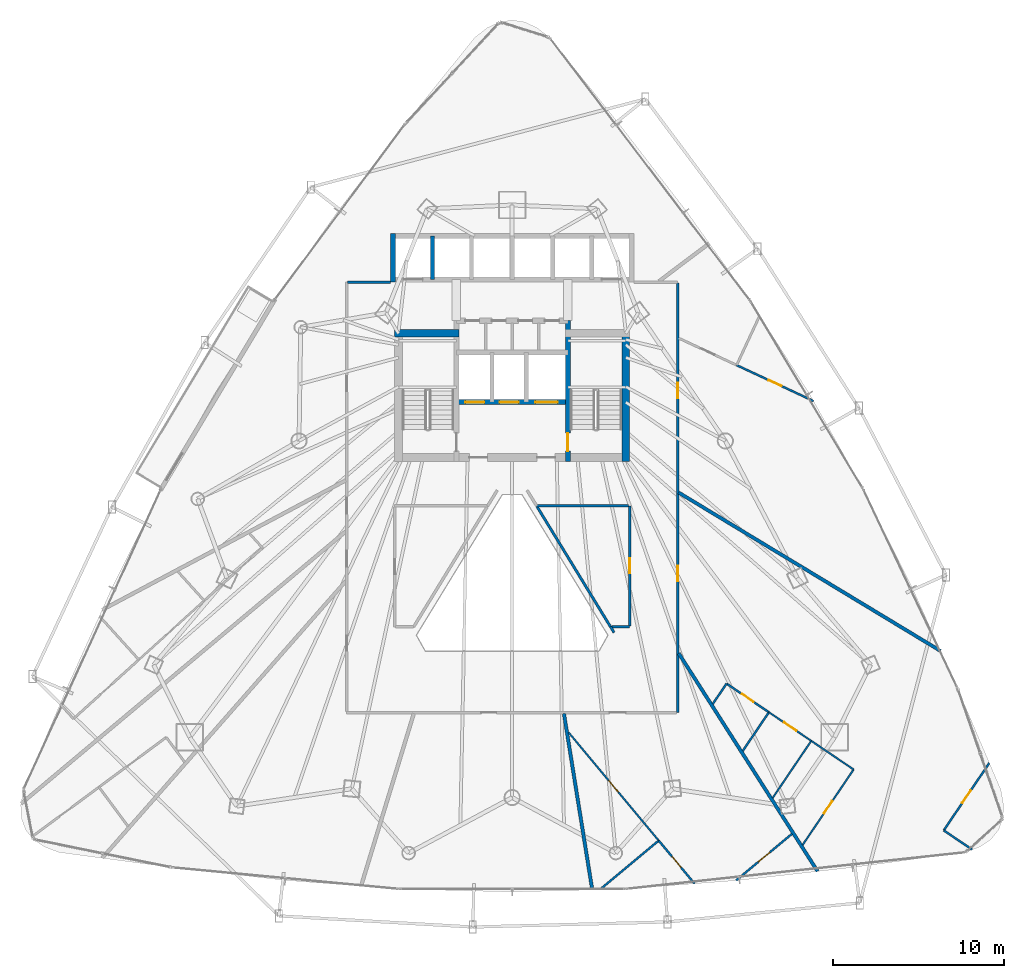
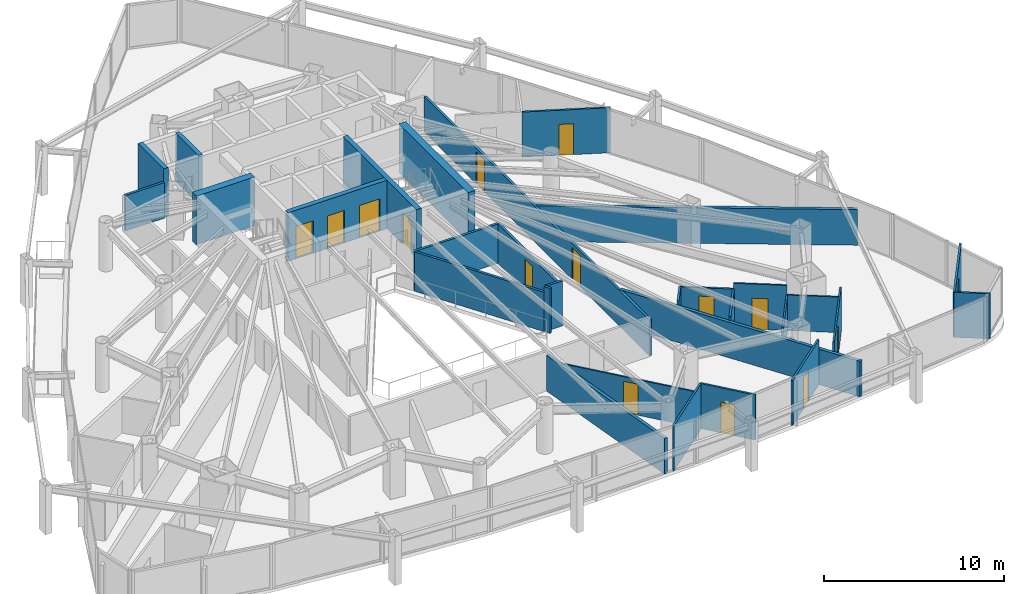
# One storey, part 33 of 38: 30 walls, 15 doors, 15 openings.
"""IFC4 building model written with IfcOpenShell, lengths in metres."""

import ifcopenshell
import ifcopenshell.guid

model = None  # the IFC model being written
_history = None  # IfcOwnerHistory: only IFC2X3 demands one
_inside = {}  # id of a spatial element -> (the spatial element, [elements in it])
_under = {}  # id of a project, library or spatial element -> (it, [spatial elements below it])
_declared = {}  # id of a project -> (the project, [libraries it declares])
_typed = {}  # id of a type object -> (the type object, [elements of that type])
_made_of = {}  # id of a material, layer set ... -> (it, [elements and type objects made of it])


def new_model(schema):
    """Start an empty IFC model of exactly this schema.

    Asked for "IFC4X3", IfcOpenShell would pick the latest addendum, in which some entities
    have other attributes; the version numbers below select the first issue.
    IFC2X3 requires an IfcOwnerHistory on every rooted entity: one is made here for all.
    """
    global model, _history
    if schema == "IFC4X3":
        model = ifcopenshell.file(schema_version=(4, 3, 0, 0))
    else:
        model = ifcopenshell.file(schema=schema)
    _inside.clear()
    _under.clear()
    _declared.clear()
    _typed.clear()
    _made_of.clear()
    _history = None
    if model.schema == "IFC2X3":
        org = make("IfcOrganization", Name="unknown")
        user = make(
            "IfcPersonAndOrganization",
            ThePerson=make("IfcPerson", FamilyName="unknown"),
            TheOrganization=org,
        )
        app = make(
            "IfcApplication",
            ApplicationDeveloper=org,
            Version="unknown",
            ApplicationFullName="unknown",
            ApplicationIdentifier="unknown",
        )
        _history = make(
            "IfcOwnerHistory",
            OwningUser=user,
            OwningApplication=app,
            ChangeAction="ADDED",
            CreationDate=0,
        )
    return model


def make(cls, **values):
    """One entity of the class cls with the attributes given. An attribute that is None is left unset."""
    return model.create_entity(
        cls, **{name: value for name, value in values.items() if value is not None}
    )


def rooted(cls, **values):
    """An entity with a GlobalId (a new one), such as an element, a storey or a relation."""
    return make(cls, GlobalId=ifcopenshell.guid.new(), OwnerHistory=_history, **values)


def si_unit(unit_type, name, prefix=None):
    """IfcSIUnit, for example si_unit("LENGTHUNIT", "METRE", prefix="MILLI")."""
    return make("IfcSIUnit", UnitType=unit_type, Prefix=prefix, Name=name)


def assignment(units):
    """IfcUnitAssignment: the units of a project."""
    return None if units is None else make("IfcUnitAssignment", Units=units)


def point(xyz):
    """IfcCartesianPoint."""
    return None if xyz is None else make("IfcCartesianPoint", Coordinates=xyz)


def direction(xyz):
    """IfcDirection."""
    return None if xyz is None else make("IfcDirection", DirectionRatios=xyz)


def frame(location, z_axis=None, x_axis=None):
    """IfcAxis2Placement3D, a coordinate frame: its origin and axes. An axis left out is left unset."""
    return make(
        "IfcAxis2Placement3D",
        Location=point(location),
        Axis=direction(z_axis),
        RefDirection=direction(x_axis),
    )


def frame_2d(location, x_axis=None):
    """IfcAxis2Placement2D, a coordinate frame in the plane: its origin and x axis."""
    return make(
        "IfcAxis2Placement2D", Location=point(location), RefDirection=direction(x_axis)
    )


def origin():
    """The frame at (0, 0, 0) with its axes left unset."""
    return frame((0.0, 0.0, 0.0))


def place(relative_to, where):
    """IfcLocalPlacement: puts the frame where relative to a parent placement (None: the world)."""
    return make(
        "IfcLocalPlacement", PlacementRelTo=relative_to, RelativePlacement=where
    )


def context(
    kind, dimensions, precision=None, world=None, true_north=None, identifier=None
):
    """IfcGeometricRepresentationContext, for example the 3D "Model" context."""
    return make(
        "IfcGeometricRepresentationContext",
        ContextIdentifier=identifier,
        ContextType=kind,
        CoordinateSpaceDimension=dimensions,
        Precision=precision,
        WorldCoordinateSystem=world,
        TrueNorth=true_north,
    )


def subcontext(parent, identifier, kind, view, scale=None):
    """IfcGeometricRepresentationSubContext, for example "Body" below "Model"."""
    return make(
        "IfcGeometricRepresentationSubContext",
        ContextIdentifier=identifier,
        ContextType=kind,
        ParentContext=parent,
        TargetScale=scale,
        TargetView=view,
    )


def project(units=None, contexts=None):
    """IfcProject with its units and contexts."""
    return rooted(
        "IfcProject",
        Name="project",
        RepresentationContexts=contexts,
        UnitsInContext=assignment(units),
    )


def spatial(cls, under=None, at=None, **own):
    """A site, building, storey or space (cls), placed at a placement, below another one or the project."""
    s = rooted(cls, ObjectPlacement=at, **own)
    if under is not None:
        _under.setdefault(under.id(), (under, []))[1].append(s)
    return s


def profile(cls, at=None, kind="AREA", **sizes):
    """A parametric profile (cls). Its sizes go by their IFC names, for example OverallWidth=200.0."""
    return make(cls, ProfileType=kind, Position=at, **sizes)


def rectangle(**sizes):
    """IfcRectangleProfileDef."""
    return profile("IfcRectangleProfileDef", **sizes)


def extrude(swept, where, along, depth):
    """IfcExtrudedAreaSolid: the profile swept, set in the frame where, extruded along a direction by depth."""
    return make(
        "IfcExtrudedAreaSolid",
        SweptArea=swept,
        Position=where,
        ExtrudedDirection=direction(along),
        Depth=depth,
    )


def shape(context_of_items, identifier, shape_type, items):
    """IfcShapeRepresentation: the items that make up one representation, for example the "Body"."""
    return make(
        "IfcShapeRepresentation",
        ContextOfItems=context_of_items,
        RepresentationIdentifier=identifier,
        RepresentationType=shape_type,
        Items=items,
    )


def material(Name=None, Category=None):
    """IfcMaterial."""
    return make("IfcMaterial", Name=Name, Category=Category)


def layer(
    of_material, thickness, ventilated=None, Name=None, Category=None, Priority=None
):
    """IfcMaterialLayer: one layer of a wall or slab, of a material (None: an air gap)."""
    return make(
        "IfcMaterialLayer",
        Material=of_material,
        LayerThickness=thickness,
        IsVentilated=ventilated,
        Name=Name,
        Category=Category,
        Priority=Priority,
    )


def layer_set(layers, Name=None):
    """IfcMaterialLayerSet."""
    return make("IfcMaterialLayerSet", MaterialLayers=layers, LayerSetName=Name)


def made_of(thing, what):
    """Note that an element or type object is made of a material, layer set ...; save() writes the relation."""
    if what is not None:
        _made_of.setdefault(what.id(), (what, []))[1].append(thing)
    return thing


def type_object(cls, material=None, **own):
    """A type object (cls), such as IfcWallType, which elements share."""
    return made_of(rooted(cls, **own), material)


def element(
    cls,
    number,
    at=None,
    inside=None,
    cuts=None,
    type_object=None,
    material=None,
    context=None,
    identifier="Body",
    shape_type=None,
    held_by="IfcProductDefinitionShape",
    body=None,
    shapes=None,
    **own,
):
    """One element of the class cls, such as IfcWall. Its Tag is "e" and its number.

    at: its placement. inside: the storey or other place that contains it. cuts: it is an
    opening in that element (IfcRelVoidsElement). A single representation is given by context,
    identifier, shape_type and body (its items); several are given by shapes. held_by: the class
    of the entity that holds the representations. save() writes the other relations.
    """
    e = rooted(cls, Tag="e%d" % number, ObjectPlacement=at, **own)
    if body is not None:
        shapes = [shape(context, identifier, shape_type, body)]
    if shapes is not None:
        e.Representation = make(held_by, Representations=shapes)
    if inside is not None:
        _inside.setdefault(inside.id(), (inside, []))[1].append(e)
    if cuts is not None:
        rooted(
            "IfcRelVoidsElement", RelatingBuildingElement=cuts, RelatedOpeningElement=e
        )
    if type_object is not None:
        _typed.setdefault(type_object.id(), (type_object, []))[1].append(e)
    return made_of(e, material)


def fill(opening, filler):
    """IfcRelFillsElement: the door or window that sits in an opening."""
    return rooted(
        "IfcRelFillsElement",
        RelatingOpeningElement=opening,
        RelatedBuildingElement=filler,
    )


def aggregate(whole, parts):
    """IfcRelAggregates: a whole, such as a stair, and the parts it consists of."""
    return rooted("IfcRelAggregates", RelatingObject=whole, RelatedObjects=parts)


def save(model, path):
    """Write the relations noted so far, then the file.

    IfcRelAggregates (storeys below a building ...), IfcRelContainedInSpatialStructure (elements
    in a storey), IfcRelDefinesByType, IfcRelAssociatesMaterial and IfcRelDeclares: one each for
    every whole, place, type object, material and project.
    """
    for whole, parts in _under.values():
        aggregate(whole, parts)
    for where, things in _inside.values():
        rooted(
            "IfcRelContainedInSpatialStructure",
            RelatedElements=things,
            RelatingStructure=where,
        )
    for kind, things in _typed.values():
        rooted("IfcRelDefinesByType", RelatedObjects=things, RelatingType=kind)
    for what, things in _made_of.values():
        rooted("IfcRelAssociatesMaterial", RelatedObjects=things, RelatingMaterial=what)
    for by, libraries in _declared.values():
        rooted("IfcRelDeclares", RelatingContext=by, RelatedDefinitions=libraries)
    model.write(path)


model = new_model("IFC4")

# Units and contexts
model_context = context("Model", 3, precision=1e-05, world=origin(), true_north=direction((0.0, 1.0)))
body_context = subcontext(model_context, "Body", "Model", "MODEL_VIEW")
ifc_project = project(units=[si_unit("LENGTHUNIT", "METRE"), si_unit("AREAUNIT", "SQUARE_METRE"), si_unit("VOLUMEUNIT", "CUBIC_METRE"), si_unit("PLANEANGLEUNIT", "RADIAN"), si_unit("MASSUNIT", "GRAM", prefix="KILO")], contexts=[model_context])

# Site, building, storey
site_placement = place(None, origin())
site = spatial("IfcSite", under=ifc_project, at=site_placement, CompositionType="ELEMENT")
building_placement = place(site_placement, origin())
building = spatial("IfcBuilding", under=site, at=building_placement, Name="Orvanel Arch Residences", CompositionType="ELEMENT")
storey_placement = place(building_placement, frame((0.0, 0.0, 43.39990234375)))
storey = spatial("IfcBuildingStorey", under=building, at=storey_placement, Name="L11", CompositionType="ELEMENT", Elevation=43.39990234375)

# Wall
ifc_material_1 = material(Name="Concrete N50 (50 MPa)", Category="concrete")
ifc_layer_1 = layer(ifc_material_1, 0.25)
ifc_layer_set_1 = layer_set([ifc_layer_1], Name="Concrete N50 (50 MPa)")
wall_type_1 = type_object("IfcWallType", Name="SW-CORE-250", PredefinedType="SHEAR", material=ifc_layer_set_1)
wall_1_placement = place(storey_placement, frame((28.35009765625, 37.050048828125, 0.0), z_axis=(0.0, 0.0, 1.0), x_axis=(0.0, 1.0, 0.0)))
element("IfcWall", 1, at=wall_1_placement, inside=storey, type_object=wall_type_1, Name="L11 Passenger Lift Inter-Shaft Wall P13", PredefinedType="SHEAR", context=body_context, shape_type="SweptSolid", body=[
    extrude(rectangle(XDim=2.550048828125, YDim=0.25, at=frame_2d((1.27490234375, 0.0))), origin(), (0.0, 0.0, 1.0), 3.300048828125),
])

# Wall, opening, door
ifc_material_2 = material(Name="Concrete S80 (80 MPa)", Category="concrete")
ifc_layer_2 = layer(ifc_material_2, 0.300048828125)
ifc_layer_set_2 = layer_set([ifc_layer_2], Name="Concrete S80 (80 MPa)")
wall_type_2 = type_object("IfcWallType", Name="SW-CORE-300", PredefinedType="SHEAR", material=ifc_layer_set_2)
wall_2_placement = place(storey_placement, frame((36.25, 26.449951171875, 0.0), z_axis=(0.0, 0.0, 1.0), x_axis=(0.0, 1.0, 0.0)))
wall_2 = element("IfcWall", 2, at=wall_2_placement, inside=storey, type_object=wall_type_2, Name="L11 East Inner Core Spine Shear Wall", PredefinedType="SHEAR", context=body_context, shape_type="SweptSolid", body=[
    extrude(rectangle(XDim=8.199951171875, YDim=0.300048828125, at=frame_2d((4.10009765625, 0.0))), origin(), (0.0, 0.0, 1.0), 3.300048828125),
])
opening_1_placement = place(wall_2_placement, frame((0.60009765625, 0.0, 0.0)))
opening_1 = element("IfcOpeningElement", 3, at=opening_1_placement, cuts=wall_2, Name="Opening DF-120", PredefinedType="OPENING", context=body_context, shape_type="SweptSolid", body=[
    extrude(rectangle(XDim=1.050048828125, YDim=2.14990234375, at=frame_2d((0.52490234375, 1.074951171875))), frame((0.0, 0.159912109375, 0.0), z_axis=(0.0, -1.0, 0.0), x_axis=(1.0, 0.0, 0.0)), (0.0, 0.0, 1.0), 0.320068359375),
])
ifc_material_3 = material(Name="Galvanised steel fire-resisting door assembly", Category="steel")
door_type_1 = type_object("IfcDoorType", Name="DR-FD120-1050", OperationType="NOTDEFINED", PredefinedType="DOOR", material=ifc_material_3)
door_1_placement = place(opening_1_placement, origin())
door_1 = element("IfcDoor", 4, at=door_1_placement, inside=storey, type_object=door_type_1, Name="DR-L11-ST2 L11 Stair 2 Fire Door", OperationType="SINGLE_SWING_RIGHT", OverallHeight=2.14990234375, OverallWidth=1.050048828125, PredefinedType="DOOR", context=body_context, shape_type="SweptSolid", body=[
    extrude(rectangle(XDim=1.050048828125, YDim=2.14990234375, at=frame_2d((0.52490234375, 1.074951171875))), frame((0.0, 0.02490234375, 0.0), z_axis=(0.0, -1.0, 0.0), x_axis=(1.0, 0.0, 0.0)), (0.0, 0.0, 1.0), 0.050048828125),
])
fill(opening_1, door_1)

# Wall, openings, doors
wall_3_placement = place(storey_placement, frame((36.25, 29.89990234375, 0.0), z_axis=(0.0, 0.0, 1.0), x_axis=(-1.0, 0.0, 0.0)))
wall_3 = element("IfcWall", 5, at=wall_3_placement, inside=storey, type_object=wall_type_2, Name="L11 Emergency Lift Front Core Shear Wall", PredefinedType="SHEAR", context=body_context, shape_type="SweptSolid", body=[
    extrude(rectangle(XDim=6.5, YDim=0.300048828125, at=frame_2d((3.25, 0.0))), origin(), (0.0, 0.0, 1.0), 3.300048828125),
])
opening_2_placement = place(wall_3_placement, frame((4.875, 0.0, 0.0)))
opening_2 = element("IfcOpeningElement", 6, at=opening_2_placement, cuts=wall_3, Name="Opening LD-110", PredefinedType="OPENING", context=body_context, shape_type="SweptSolid", body=[
    extrude(rectangle(XDim=1.10009765625, YDim=2.199951171875, at=frame_2d((0.550048828125, 1.10009765625))), frame((0.0, 0.159912109375, 0.0), z_axis=(0.0, -1.0, 0.0), x_axis=(1.0, 0.0, 0.0)), (0.0, 0.0, 1.0), 0.320068359375),
])
opening_3_placement = place(wall_3_placement, frame((2.875, 0.0, 0.0)))
opening_3 = element("IfcOpeningElement", 7, at=opening_3_placement, cuts=wall_3, Name="Opening LD-110", PredefinedType="OPENING", context=body_context, shape_type="SweptSolid", body=[
    extrude(rectangle(XDim=1.10009765625, YDim=2.199951171875, at=frame_2d((0.550048828125, 1.10009765625))), frame((0.0, 0.159912109375, 0.0), z_axis=(0.0, -1.0, 0.0), x_axis=(1.0, 0.0, 0.0)), (0.0, 0.0, 1.0), 0.320068359375),
])
opening_4_placement = place(wall_3_placement, frame((0.60009765625, 0.0, 0.0)))
opening_4 = element("IfcOpeningElement", 8, at=opening_4_placement, cuts=wall_3, Name="Opening LD-130", PredefinedType="OPENING", context=body_context, shape_type="SweptSolid", body=[
    extrude(rectangle(XDim=1.300048828125, YDim=2.199951171875, at=frame_2d((0.64990234375, 1.10009765625))), frame((0.0, 0.159912109375, 0.0), z_axis=(0.0, -1.0, 0.0), x_axis=(1.0, 0.0, 0.0)), (0.0, 0.0, 1.0), 0.320068359375),
])
door_type_2 = type_object("IfcDoorType", Name="DR-LFT-1100", OperationType="NOTDEFINED", PredefinedType="DOOR", material=ifc_material_3)
door_2_placement = place(opening_2_placement, origin())
door_2 = element("IfcDoor", 9, at=door_2_placement, inside=storey, type_object=door_type_2, Name="LD-F1-L11 L11 Lift F1 Sliding Landing Door", OperationType="DOUBLE_DOOR_SLIDING", OverallHeight=2.199951171875, OverallWidth=1.10009765625, PredefinedType="DOOR", context=body_context, shape_type="SweptSolid", body=[
    extrude(rectangle(XDim=1.10009765625, YDim=2.199951171875, at=frame_2d((0.550048828125, 1.10009765625))), frame((0.0, 0.02490234375, 0.0), z_axis=(0.0, -1.0, 0.0), x_axis=(1.0, 0.0, 0.0)), (0.0, 0.0, 1.0), 0.050048828125),
])
fill(opening_2, door_2)
door_3_placement = place(opening_3_placement, origin())
door_3 = element("IfcDoor", 10, at=door_3_placement, inside=storey, type_object=door_type_2, Name="LD-F2-L11 L11 Lift F2 Sliding Landing Door", OperationType="DOUBLE_DOOR_SLIDING", OverallHeight=2.199951171875, OverallWidth=1.10009765625, PredefinedType="DOOR", context=body_context, shape_type="SweptSolid", body=[
    extrude(rectangle(XDim=1.10009765625, YDim=2.199951171875, at=frame_2d((0.550048828125, 1.10009765625))), frame((0.0, 0.02490234375, 0.0), z_axis=(0.0, -1.0, 0.0), x_axis=(1.0, 0.0, 0.0)), (0.0, 0.0, 1.0), 0.050048828125),
])
fill(opening_3, door_3)
door_type_3 = type_object("IfcDoorType", Name="DR-LFT-1300", OperationType="NOTDEFINED", PredefinedType="DOOR", material=ifc_material_3)
door_4_placement = place(opening_4_placement, origin())
door_4 = element("IfcDoor", 11, at=door_4_placement, inside=storey, type_object=door_type_3, Name="LD-G1-L11 L11 Lift G1 Sliding Landing Door", OperationType="DOUBLE_DOOR_SLIDING", OverallHeight=2.199951171875, OverallWidth=1.300048828125, PredefinedType="DOOR", context=body_context, shape_type="SweptSolid", body=[
    extrude(rectangle(XDim=1.300048828125, YDim=2.199951171875, at=frame_2d((0.64990234375, 1.10009765625))), frame((0.0, 0.02490234375, 0.0), z_axis=(0.0, -1.0, 0.0), x_axis=(1.0, 0.0, 0.0)), (0.0, 0.0, 1.0), 0.050048828125),
])
fill(opening_4, door_4)

# Walls
wall_4_placement = place(storey_placement, frame((26.050048828125, 36.89990234375, 0.0), z_axis=(0.0, 0.0, 1.0), x_axis=(0.0, 1.0, 0.0)))
element("IfcWall", 12, at=wall_4_placement, inside=storey, type_object=wall_type_2, Name="L11 Passenger Lift Bank West Shear Wall", PredefinedType="SHEAR", context=body_context, shape_type="SweptSolid", body=[
    extrude(rectangle(XDim=2.85009765625, YDim=0.300048828125, at=frame_2d((1.425048828125, 0.0))), origin(), (0.0, 0.0, 1.0), 3.300048828125),
])
ifc_layer_3 = layer(ifc_material_2, 0.449951171875)
ifc_layer_set_3 = layer_set([ifc_layer_3], Name="Concrete S80 (80 MPa)")
wall_type_3 = type_object("IfcWallType", Name="SW-CORE-450", PredefinedType="SHEAR", material=ifc_layer_set_3)
wall_5_placement = place(storey_placement, frame((26.14990234375, 33.925048828125, 0.0), z_axis=(0.0, 0.0, 1.0), x_axis=(1.0, 0.0, 0.0)))
element("IfcWall", 13, at=wall_5_placement, inside=storey, type_object=wall_type_3, Name="L11 West Stair North Shear Wall", PredefinedType="SHEAR", context=body_context, shape_type="SweptSolid", body=[
    extrude(rectangle(XDim=3.75, YDim=0.449951171875, at=frame_2d((1.875, 0.0))), origin(), (0.0, 0.0, 1.0), 3.300048828125),
])
wall_6_placement = place(storey_placement, frame((39.625, 26.449951171875, 0.0), z_axis=(0.0, 0.0, 1.0), x_axis=(0.0, 1.0, 0.0)))
element("IfcWall", 14, at=wall_6_placement, inside=storey, type_object=wall_type_3, Name="L11 East Stair Shear Wall", PredefinedType="SHEAR", context=body_context, shape_type="SweptSolid", body=[
    extrude(rectangle(XDim=7.699951171875, YDim=0.449951171875, at=frame_2d((3.85009765625, 0.0))), origin(), (0.0, 0.0, 1.0), 3.300048828125),
])

# Wall, openings, doors
ifc_material_4 = material(Name="Fire-rated plasterboard lined steel stud partition", Category="steel")
ifc_layer_4 = layer(ifc_material_4, 0.14990234375)
ifc_layer_set_4 = layer_set([ifc_layer_4], Name="Fire-rated plasterboard lined steel stud partition")
wall_type_4 = type_object("IfcWallType", Name="W-COR-150", PredefinedType="PARTITIONING", material=ifc_layer_set_4)
wall_7_placement = place(storey_placement, frame((42.64990234375, 36.840087890625, 0.0), z_axis=(0.0, 0.0, 1.0), x_axis=(0.0, -1.0, 0.0)))
wall_7 = element("IfcWall", 15, at=wall_7_placement, inside=storey, type_object=wall_type_4, Name="L11 Corridor Fire-Rated Partition", PredefinedType="PARTITIONING", context=body_context, shape_type="SweptSolid", body=[
    extrude(rectangle(XDim=25.0400390625, YDim=0.14990234375, at=frame_2d((12.52001953125, 0.0))), origin(), (0.0, 0.0, 1.0), 2.4130859375),
])
opening_5_placement = place(wall_7_placement, frame((16.466064453125, 0.0, 0.0)))
opening_5 = element("IfcOpeningElement", 16, at=opening_5_placement, cuts=wall_7, Name="Opening DA-092", PredefinedType="OPENING", context=body_context, shape_type="SweptSolid", body=[
    extrude(rectangle(XDim=0.919921875, YDim=2.14990234375, at=frame_2d((0.4599609375, 1.074951171875))), frame((0.0, 0.0849609375, 0.0), z_axis=(0.0, -1.0, 0.0), x_axis=(1.0, 0.0, 0.0)), (0.0, 0.0, 1.0), 0.169921875),
])
opening_6_placement = place(wall_7_placement, frame((5.7958984375, 0.0, 0.0)))
opening_6 = element("IfcOpeningElement", 17, at=opening_6_placement, cuts=wall_7, Name="Opening DA-092", PredefinedType="OPENING", context=body_context, shape_type="SweptSolid", body=[
    extrude(rectangle(XDim=0.919921875, YDim=2.14990234375, at=frame_2d((0.4599609375, 1.074951171875))), frame((0.0, 0.0849609375, 0.0), z_axis=(0.0, -1.0, 0.0), x_axis=(1.0, 0.0, 0.0)), (0.0, 0.0, 1.0), 0.169921875),
])
ifc_material_5 = material(Name="Solid-core European oak veneer fire door leaf", Category="wood")
door_type_4 = type_object("IfcDoorType", Name="DR-APT-920", OperationType="NOTDEFINED", PredefinedType="DOOR", material=ifc_material_5)
door_5_placement = place(opening_5_placement, origin())
door_5 = element("IfcDoor", 18, at=door_5_placement, inside=storey, type_object=door_type_4, Name="DR-L11-B-ENT L11 Studio B Entrance Door", OperationType="SINGLE_SWING_LEFT", OverallHeight=2.14990234375, OverallWidth=0.919921875, PredefinedType="DOOR", context=body_context, shape_type="SweptSolid", body=[
    extrude(rectangle(XDim=0.919921875, YDim=2.14990234375, at=frame_2d((0.4599609375, 1.074951171875))), frame((0.0, 0.02490234375, 0.0), z_axis=(0.0, -1.0, 0.0), x_axis=(1.0, 0.0, 0.0)), (0.0, 0.0, 1.0), 0.050048828125),
])
fill(opening_5, door_5)
door_6_placement = place(opening_6_placement, origin())
door_6 = element("IfcDoor", 19, at=door_6_placement, inside=storey, type_object=door_type_4, Name="DR-L11-D-ENT L11 Studio D Entrance Door", OperationType="SINGLE_SWING_LEFT", OverallHeight=2.14990234375, OverallWidth=0.919921875, PredefinedType="DOOR", context=body_context, shape_type="SweptSolid", body=[
    extrude(rectangle(XDim=0.919921875, YDim=2.14990234375, at=frame_2d((0.4599609375, 1.074951171875))), frame((0.0, 0.02490234375, 0.0), z_axis=(0.0, -1.0, 0.0), x_axis=(1.0, 0.0, 0.0)), (0.0, 0.0, 1.0), 0.050048828125),
])
fill(opening_6, door_6)

# Walls
wall_8_placement = place(storey_placement, frame((23.409912109375, 36.89990234375, 0.0), z_axis=(0.0, 0.0, 1.0), x_axis=(1.0, 0.0, 0.0)))
element("IfcWall", 20, at=wall_8_placement, inside=storey, type_object=wall_type_4, Name="L11 Corridor Fire-Rated Partition", PredefinedType="PARTITIONING", context=body_context, shape_type="SweptSolid", body=[
    extrude(rectangle(XDim=2.489990234375, YDim=0.14990234375, at=frame_2d((1.2451171875, 0.0))), origin(), (0.0, 0.0, 1.0), 2.4130859375),
])
wall_9_placement = place(storey_placement, frame((38.94189453125, 16.462890625, 0.0), z_axis=(0.0, 0.0, 1.0), x_axis=(-0.511932152937, 0.859025884819, 0.0)))
element("IfcWall", 21, at=wall_9_placement, inside=storey, type_object=wall_type_4, Name="L11 Corridor Fire-Rated Partition", PredefinedType="PARTITIONING", context=body_context, shape_type="SweptSolid", body=[
    extrude(rectangle(XDim=0.392578125, YDim=0.14990234375, at=frame_2d((0.1962890625, 0.0))), origin(), (0.0, 0.0, 1.0), 3.06005859375),
])
wall_10_placement = place(storey_placement, frame((38.81103515625, 16.800048828125, 0.0), z_axis=(0.0, 0.0, 1.0), x_axis=(1.0, 0.0, 0.0)))
element("IfcWall", 22, at=wall_10_placement, inside=storey, type_object=wall_type_4, Name="L11 Corridor Fire-Rated Partition", PredefinedType="PARTITIONING", context=body_context, shape_type="SweptSolid", body=[
    extrude(rectangle(XDim=1.0390625, YDim=0.14990234375, at=frame_2d((0.51953125, 0.0))), origin(), (0.0, 0.0, 1.0), 3.06005859375),
])

# Wall, opening, door
wall_11_placement = place(storey_placement, frame((39.85009765625, 16.860107421875, 0.0), z_axis=(0.0, 0.0, 1.0), x_axis=(0.0, 1.0, 0.0)))
wall_11 = element("IfcWall", 23, at=wall_11_placement, inside=storey, type_object=wall_type_4, Name="L11 Corridor Fire-Rated Partition", PredefinedType="PARTITIONING", context=body_context, shape_type="SweptSolid", body=[
    extrude(rectangle(XDim=6.989990234375, YDim=0.14990234375, at=frame_2d((3.4951171875, 0.0))), origin(), (0.0, 0.0, 1.0), 2.669189453125),
])
opening_7_placement = place(wall_11_placement, frame((3.054931640625, 0.0, 0.0)))
opening_7 = element("IfcOpeningElement", 24, at=opening_7_placement, cuts=wall_11, Name="Opening DI-088", PredefinedType="OPENING", context=body_context, shape_type="SweptSolid", body=[
    extrude(rectangle(XDim=0.8798828125, YDim=2.10009765625, at=frame_2d((0.43994140625, 1.050048828125))), frame((0.0, 0.0849609375, 0.0), z_axis=(0.0, -1.0, 0.0), x_axis=(1.0, 0.0, 0.0)), (0.0, 0.0, 1.0), 0.169921875),
])
door_type_5 = type_object("IfcDoorType", Name="DR-INT-880", OperationType="NOTDEFINED", PredefinedType="DOOR", material=ifc_material_5)
door_7_placement = place(opening_7_placement, origin())
door_7 = element("IfcDoor", 25, at=door_7_placement, inside=storey, type_object=door_type_5, Name="DR-L11-SHRD-FB9 L11 Co-Working Study Office I Door", OperationType="SINGLE_SWING_LEFT", OverallHeight=2.10009765625, OverallWidth=0.8798828125, PredefinedType="DOOR", context=body_context, shape_type="SweptSolid", body=[
    extrude(rectangle(XDim=0.8798828125, YDim=2.10009765625, at=frame_2d((0.43994140625, 1.050048828125))), frame((0.0, 0.02490234375, 0.0), z_axis=(0.0, -1.0, 0.0), x_axis=(1.0, 0.0, 0.0)), (0.0, 0.0, 1.0), 0.050048828125),
])
fill(opening_7, door_7)

# Walls
wall_12_placement = place(storey_placement, frame((39.7900390625, 23.85009765625, 0.0), z_axis=(0.0, 0.0, 1.0), x_axis=(-1.0, 0.0, 0.0)))
element("IfcWall", 26, at=wall_12_placement, inside=storey, type_object=wall_type_4, Name="L11 Corridor Fire-Rated Partition", PredefinedType="PARTITIONING", context=body_context, shape_type="SweptSolid", body=[
    extrude(rectangle(XDim=5.358154296875, YDim=0.14990234375, at=frame_2d((2.67919921875, 0.0))), origin(), (0.0, 0.0, 1.0), 2.669189453125),
])
wall_13_placement = place(storey_placement, frame((34.462890625, 23.7900390625, 0.0), z_axis=(0.0, 0.0, 1.0), x_axis=(0.521566895949, -0.853210392019, 0.0)))
element("IfcWall", 27, at=wall_13_placement, inside=storey, type_object=wall_type_4, Name="L11 Atrium Overlook Glazed Partition", PredefinedType="PARTITIONING", context=body_context, shape_type="SweptSolid", body=[
    extrude(rectangle(XDim=8.19482421875, YDim=0.14990234375, at=frame_2d((4.097412109375, 0.0))), origin(), (0.0, 0.0, 1.0), 2.669189453125),
])
ifc_layer_5 = layer(ifc_material_4, 0.199951171875)
ifc_layer_set_5 = layer_set([ifc_layer_5], Name="Fire-rated plasterboard lined steel stud partition")
wall_type_5 = type_object("IfcWallType", Name="W-DEM-200", PredefinedType="PARTITIONING", material=ifc_layer_set_5)
wall_14_placement = place(storey_placement, frame((42.7099609375, 24.6279296875, 0.0), z_axis=(0.0, 0.0, 1.0), x_axis=(0.85570509792, -0.517463801047, 0.0)))
element("IfcWall", 28, at=wall_14_placement, inside=storey, type_object=wall_type_5, Name="L11 Inter-Tenancy Acoustic Demising Wall", PredefinedType="PARTITIONING", context=body_context, shape_type="SweptSolid", body=[
    extrude(rectangle(XDim=17.860107421875, YDim=0.199951171875, at=frame_2d((8.93017578125, 0.0))), origin(), (0.0, 0.0, 1.0), 2.4130859375),
])
wall_15_placement = place(storey_placement, frame((50.81005859375, 2.5439453125, 0.0), z_axis=(0.0, 0.0, 1.0), x_axis=(-0.537314491885, 0.843381963769, 0.0)))
element("IfcWall", 29, at=wall_15_placement, inside=storey, type_object=wall_type_5, Name="L11 Inter-Tenancy Acoustic Demising Wall", PredefinedType="PARTITIONING", context=body_context, shape_type="SweptSolid", body=[
    extrude(rectangle(XDim=15.0751953125, YDim=0.199951171875, at=frame_2d((7.53759765625, 0.0))), origin(), (0.0, 0.0, 1.0), 2.4130859375),
])
wall_16_placement = place(storey_placement, frame((36.01904296875, 11.739990234375, 0.0), z_axis=(0.0, 0.0, 1.0), x_axis=(0.158816201081, -0.98730816581, 0.0)))
element("IfcWall", 30, at=wall_16_placement, inside=storey, type_object=wall_type_5, Name="L11 Inter-Tenancy Acoustic Demising Wall", PredefinedType="PARTITIONING", context=body_context, shape_type="SweptSolid", body=[
    extrude(rectangle(XDim=10.401123046875, YDim=0.199951171875, at=frame_2d((5.20068359375, 0.0))), origin(), (0.0, 0.0, 1.0), 2.4130859375),
])

# Wall, opening, door
ifc_material_6 = material(Name="Acoustic plasterboard lined twin-stud partition", Category="gypsum")
ifc_layer_6 = layer(ifc_material_6, 0.10009765625)
ifc_layer_set_6 = layer_set([ifc_layer_6], Name="Acoustic plasterboard lined twin-stud partition")
wall_type_6 = type_object("IfcWallType", Name="W-INT-100", PredefinedType="PARTITIONING", material=ifc_layer_set_6)
wall_17_placement = place(storey_placement, frame((49.93603515625, 4.073974609375, 0.0), z_axis=(0.0, 0.0, 1.0), x_axis=(0.560030395854, 0.828472060917, 0.0)))
wall_17 = element("IfcWall", 31, at=wall_17_placement, inside=storey, type_object=wall_type_6, Name="L11 Studio B Internal Partition", PredefinedType="PARTITIONING", context=body_context, shape_type="SweptSolid", body=[
    extrude(rectangle(XDim=5.31591796875, YDim=0.10009765625, at=frame_2d((2.657958984375, 0.0))), origin(), (0.0, 0.0, 1.0), 3.06005859375),
])
opening_8_placement = place(wall_17_placement, frame((2.218017578125, 0.0, 0.0)))
opening_8 = element("IfcOpeningElement", 32, at=opening_8_placement, cuts=wall_17, Name="Opening DI-088", PredefinedType="OPENING", context=body_context, shape_type="SweptSolid", body=[
    extrude(rectangle(XDim=0.8798828125, YDim=2.10009765625, at=frame_2d((0.43994140625, 1.050048828125))), frame((0.0, 0.06005859375, 0.0), z_axis=(0.0, -1.0, 0.0), x_axis=(1.0, 0.0, 0.0)), (0.0, 0.0, 1.0), 0.1201171875),
])
door_8_placement = place(opening_8_placement, origin())
door_8 = element("IfcDoor", 33, at=door_8_placement, inside=storey, type_object=door_type_5, Name="DR-L11-B-AME1 L11 Studio B Resident Reading Library 1 Door", OperationType="SINGLE_SWING_LEFT", OverallHeight=2.10009765625, OverallWidth=0.8798828125, PredefinedType="DOOR", context=body_context, shape_type="SweptSolid", body=[
    extrude(rectangle(XDim=0.8798828125, YDim=2.10009765625, at=frame_2d((0.43994140625, 1.050048828125))), frame((0.0, 0.02490234375, 0.0), z_axis=(0.0, -1.0, 0.0), x_axis=(1.0, 0.0, 0.0)), (0.0, 0.0, 1.0), 0.050048828125),
])
fill(opening_8, door_8)

# Wall
wall_18_placement = place(storey_placement, frame((52.9130859375, 8.47802734375, 0.0), z_axis=(0.0, 0.0, 1.0), x_axis=(-0.828429805787, 0.560092900226, 0.0)))
element("IfcWall", 34, at=wall_18_placement, inside=storey, type_object=wall_type_6, Name="L11 Studio B Internal Partition", PredefinedType="PARTITIONING", context=body_context, shape_type="SweptSolid", body=[
    extrude(rectangle(XDim=2.9814453125, YDim=0.10009765625, at=frame_2d((1.49072265625, 0.0))), origin(), (0.0, 0.0, 1.0), 2.4130859375),
])

# Wall, opening, door
wall_19_placement = place(storey_placement, frame((50.443115234375, 10.14794921875, 0.0), z_axis=(0.0, 0.0, 1.0), x_axis=(-0.828607449923, 0.559830058082, 0.0)))
wall_19 = element("IfcWall", 35, at=wall_19_placement, inside=storey, type_object=wall_type_6, Name="L11 Studio B Internal Partition", PredefinedType="PARTITIONING", context=body_context, shape_type="SweptSolid", body=[
    extrude(rectangle(XDim=2.981201171875, YDim=0.10009765625, at=frame_2d((1.49072265625, 0.0))), origin(), (0.0, 0.0, 1.0), 3.06005859375),
])
opening_9_placement = place(wall_19_placement, frame((1.051025390625, 0.0, 0.0)))
opening_9 = element("IfcOpeningElement", 36, at=opening_9_placement, cuts=wall_19, Name="Opening DI-088", PredefinedType="OPENING", context=body_context, shape_type="SweptSolid", body=[
    extrude(rectangle(XDim=0.8798828125, YDim=2.10009765625, at=frame_2d((0.43994140625, 1.050048828125))), frame((0.0, 0.06005859375, 0.0), z_axis=(0.0, -1.0, 0.0), x_axis=(1.0, 0.0, 0.0)), (0.0, 0.0, 1.0), 0.1201171875),
])
door_9_placement = place(opening_9_placement, origin())
door_9 = element("IfcDoor", 37, at=door_9_placement, inside=storey, type_object=door_type_5, Name="DR-L11-B-AME2 L11 Studio B Resident Reading Library 2 Door", OperationType="SINGLE_SWING_LEFT", OverallHeight=2.10009765625, OverallWidth=0.8798828125, PredefinedType="DOOR", context=body_context, shape_type="SweptSolid", body=[
    extrude(rectangle(XDim=0.8798828125, YDim=2.10009765625, at=frame_2d((0.43994140625, 1.050048828125))), frame((0.0, 0.02490234375, 0.0), z_axis=(0.0, -1.0, 0.0), x_axis=(1.0, 0.0, 0.0)), (0.0, 0.0, 1.0), 0.050048828125),
])
fill(opening_9, door_9)

# Wall
wall_20_placement = place(storey_placement, frame((48.18994140625, 6.81494140625, 0.0), z_axis=(0.0, 0.0, 1.0), x_axis=(0.560052199206, 0.828457321873, 0.0)))
element("IfcWall", 38, at=wall_20_placement, inside=storey, type_object=wall_type_6, Name="L11 Studio B Internal Partition", PredefinedType="PARTITIONING", context=body_context, shape_type="SweptSolid", body=[
    extrude(rectangle(XDim=4.023193359375, YDim=0.10009765625, at=frame_2d((2.01171875, 0.0))), origin(), (0.0, 0.0, 1.0), 2.4130859375),
])

# Wall, opening, door
wall_21_placement = place(storey_placement, frame((41.547119140625, 4.3310546875, 0.0), z_axis=(0.0, 0.0, 1.0), x_axis=(-0.640035566376, 0.768345282913, 0.0)))
wall_21 = element("IfcWall", 39, at=wall_21_placement, inside=storey, type_object=wall_type_6, Name="L11 Studio F Internal Partition", PredefinedType="PARTITIONING", context=body_context, shape_type="SweptSolid", body=[
    extrude(rectangle(XDim=8.2294921875, YDim=0.10009765625, at=frame_2d((4.11474609375, 0.0))), origin(), (0.0, 0.0, 1.0), 2.4130859375),
])
opening_10_placement = place(wall_21_placement, frame((3.675048828125, 0.0, 0.0)))
opening_10 = element("IfcOpeningElement", 40, at=opening_10_placement, cuts=wall_21, Name="Opening DI-088", PredefinedType="OPENING", context=body_context, shape_type="SweptSolid", body=[
    extrude(rectangle(XDim=0.8798828125, YDim=2.10009765625, at=frame_2d((0.43994140625, 1.050048828125))), frame((0.0, 0.06005859375, 0.0), z_axis=(0.0, -1.0, 0.0), x_axis=(1.0, 0.0, 0.0)), (0.0, 0.0, 1.0), 0.1201171875),
])
door_10_placement = place(opening_10_placement, origin())
door_10 = element("IfcDoor", 41, at=door_10_placement, inside=storey, type_object=door_type_5, Name="DR-L11-F-DIN1 L11 Studio F Dining Room 1 Door", OperationType="SINGLE_SWING_LEFT", OverallHeight=2.10009765625, OverallWidth=0.8798828125, PredefinedType="DOOR", context=body_context, shape_type="SweptSolid", body=[
    extrude(rectangle(XDim=0.8798828125, YDim=2.10009765625, at=frame_2d((0.43994140625, 1.050048828125))), frame((0.0, 0.02490234375, 0.0), z_axis=(0.0, -1.0, 0.0), x_axis=(1.0, 0.0, 0.0)), (0.0, 0.0, 1.0), 0.050048828125),
])
fill(opening_10, door_10)

ifc_layer_7 = layer(ifc_material_6, 0.1201171875)
ifc_layer_set_7 = layer_set([ifc_layer_7], Name="Acoustic plasterboard lined twin-stud partition")
wall_type_7 = type_object("IfcWallType", Name="W-WET-120", PredefinedType="PARTITIONING", material=ifc_layer_set_7)
wall_22_placement = place(storey_placement, frame((47.972900390625, 11.81689453125, 0.0), z_axis=(0.0, 0.0, 1.0), x_axis=(-0.82839181121, 0.560149093653, 0.0)))
wall_22 = element("IfcWall", 42, at=wall_22_placement, inside=storey, type_object=wall_type_7, Name="L11 Studio B Bathroom Partition", PredefinedType="PARTITIONING", context=body_context, shape_type="SweptSolid", body=[
    extrude(rectangle(XDim=2.981689453125, YDim=0.1201171875, at=frame_2d((1.49072265625, 0.0))), origin(), (0.0, 0.0, 1.0), 2.669189453125),
])
opening_11_placement = place(wall_22_placement, frame((1.0810546875, 0.0, 0.0)))
opening_11 = element("IfcOpeningElement", 43, at=opening_11_placement, cuts=wall_22, Name="Opening DW-082", PredefinedType="OPENING", context=body_context, shape_type="SweptSolid", body=[
    extrude(rectangle(XDim=0.820068359375, YDim=2.10009765625, at=frame_2d((0.41015625, 1.050048828125))), frame((0.0, 0.070068359375, 0.0), z_axis=(0.0, -1.0, 0.0), x_axis=(1.0, 0.0, 0.0)), (0.0, 0.0, 1.0), 0.14013671875),
])
door_type_6 = type_object("IfcDoorType", Name="DR-WET-820", OperationType="NOTDEFINED", PredefinedType="DOOR", material=ifc_material_5)
door_11_placement = place(opening_11_placement, origin())
door_11 = element("IfcDoor", 44, at=door_11_placement, inside=storey, type_object=door_type_6, Name="DR-L11-B-BATH L11 Studio B Bathroom Door", OperationType="SINGLE_SWING_RIGHT", OverallHeight=2.10009765625, OverallWidth=0.820068359375, PredefinedType="DOOR", context=body_context, shape_type="SweptSolid", body=[
    extrude(rectangle(XDim=0.820068359375, YDim=2.10009765625, at=frame_2d((0.41015625, 1.050048828125))), frame((0.0, 0.02490234375, 0.0), z_axis=(0.0, -1.0, 0.0), x_axis=(1.0, 0.0, 0.0)), (0.0, 0.0, 1.0), 0.050048828125),
])
fill(opening_11, door_11)

# Wall
wall_23_placement = place(storey_placement, frame((45.5029296875, 13.487060546875, 0.0), z_axis=(0.0, 0.0, 1.0), x_axis=(-0.559901526605, -0.828559159328, 0.0)))
element("IfcWall", 45, at=wall_23_placement, inside=storey, type_object=wall_type_7, Name="L11 Studio B Bathroom Partition", PredefinedType="PARTITIONING", context=body_context, shape_type="SweptSolid", body=[
    extrude(rectangle(XDim=1.437744140625, YDim=0.1201171875, at=frame_2d((0.71875, 0.0))), origin(), (0.0, 0.0, 1.0), 2.669189453125),
])

# Wall, opening, door
wall_24_placement = place(storey_placement, frame((60.824951171875, 8.85498046875, 0.0), z_axis=(0.0, 0.0, 1.0), x_axis=(-0.560046533867, -0.828461151716, 0.0)))
wall_24 = element("IfcWall", 46, at=wall_24_placement, inside=storey, type_object=wall_type_7, Name="L11 Studio B Internal Partition", PredefinedType="PARTITIONING", context=body_context, shape_type="SweptSolid", body=[
    extrude(rectangle(XDim=4.742431640625, YDim=0.1201171875, at=frame_2d((2.37109375, 0.0))), origin(), (0.0, 0.0, 1.0), 3.06005859375),
])
opening_12_placement = place(wall_24_placement, frame((1.930908203125, 0.0, 0.0)))
opening_12 = element("IfcOpeningElement", 47, at=opening_12_placement, cuts=wall_24, Name="Opening DI-088", PredefinedType="OPENING", context=body_context, shape_type="SweptSolid", body=[
    extrude(rectangle(XDim=0.8798828125, YDim=2.10009765625, at=frame_2d((0.43994140625, 1.050048828125))), frame((0.0, 0.070068359375, 0.0), z_axis=(0.0, -1.0, 0.0), x_axis=(1.0, 0.0, 0.0)), (0.0, 0.0, 1.0), 0.14013671875),
])
door_12_placement = place(opening_12_placement, origin())
door_12 = element("IfcDoor", 48, at=door_12_placement, inside=storey, type_object=door_type_5, Name="DR-L11-B-KIT L11 Studio B Kitchenette Door", OperationType="SINGLE_SWING_LEFT", OverallHeight=2.10009765625, OverallWidth=0.8798828125, PredefinedType="DOOR", context=body_context, shape_type="SweptSolid", body=[
    extrude(rectangle(XDim=0.8798828125, YDim=2.10009765625, at=frame_2d((0.43994140625, 1.050048828125))), frame((0.0, 0.02490234375, 0.0), z_axis=(0.0, -1.0, 0.0), x_axis=(1.0, 0.0, 0.0)), (0.0, 0.0, 1.0), 0.050048828125),
])
fill(opening_12, door_12)

# Walls
wall_25_placement = place(storey_placement, frame((58.1689453125, 4.926025390625, 0.0), z_axis=(0.0, 0.0, 1.0), x_axis=(0.828391626579, -0.560149366699, 0.0)))
element("IfcWall", 49, at=wall_25_placement, inside=storey, type_object=wall_type_7, Name="L11 Studio B Internal Partition", PredefinedType="PARTITIONING", context=body_context, shape_type="SweptSolid", body=[
    extrude(rectangle(XDim=2.00146484375, YDim=0.1201171875, at=frame_2d((1.000732421875, 0.0))), origin(), (0.0, 0.0, 1.0), 3.06005859375),
])
wall_26_placement = place(storey_placement, frame((47.972900390625, 11.81689453125, 0.0), z_axis=(0.0, 0.0, 1.0), x_axis=(-0.559971898906, -0.828511600665, 0.0)))
element("IfcWall", 50, at=wall_26_placement, inside=storey, type_object=wall_type_7, Name="L11 Studio B Bathroom Partition", PredefinedType="PARTITIONING", context=body_context, shape_type="SweptSolid", body=[
    extrude(rectangle(XDim=2.730224609375, YDim=0.1201171875, at=frame_2d((1.365234375, 0.0))), origin(), (0.0, 0.0, 1.0), 2.669189453125),
])

# Wall, opening, door
wall_27_placement = place(storey_placement, frame((46.091064453125, 32.05810546875, 0.0), z_axis=(0.0, 0.0, 1.0), x_axis=(0.906338250566, -0.422552926343, 0.0)))
wall_27 = element("IfcWall", 51, at=wall_27_placement, inside=storey, type_object=wall_type_7, Name="L11 Studio D Bathroom Partition", PredefinedType="PARTITIONING", context=body_context, shape_type="SweptSolid", body=[
    extrude(rectangle(XDim=4.944091796875, YDim=0.1201171875, at=frame_2d((2.47216796875, 0.0))), origin(), (0.0, 0.0, 1.0), 3.06005859375),
])
opening_13_placement = place(wall_27_placement, frame((2.06201171875, 0.0, 0.0)))
opening_13 = element("IfcOpeningElement", 52, at=opening_13_placement, cuts=wall_27, Name="Opening DW-082", PredefinedType="OPENING", context=body_context, shape_type="SweptSolid", body=[
    extrude(rectangle(XDim=0.820068359375, YDim=2.10009765625, at=frame_2d((0.41015625, 1.050048828125))), frame((0.0, 0.070068359375, 0.0), z_axis=(0.0, -1.0, 0.0), x_axis=(1.0, 0.0, 0.0)), (0.0, 0.0, 1.0), 0.14013671875),
])
door_13_placement = place(opening_13_placement, origin())
door_13 = element("IfcDoor", 53, at=door_13_placement, inside=storey, type_object=door_type_6, Name="DR-L11-D-BATH L11 Studio D Bathroom Door", OperationType="SINGLE_SWING_RIGHT", OverallHeight=2.10009765625, OverallWidth=0.820068359375, PredefinedType="DOOR", context=body_context, shape_type="SweptSolid", body=[
    extrude(rectangle(XDim=0.820068359375, YDim=2.10009765625, at=frame_2d((0.41015625, 1.050048828125))), frame((0.0, 0.02490234375, 0.0), z_axis=(0.0, -1.0, 0.0), x_axis=(1.0, 0.0, 0.0)), (0.0, 0.0, 1.0), 0.050048828125),
])
fill(opening_13, door_13)

wall_28_placement = place(storey_placement, frame((43.634033203125, 1.824951171875, 0.0), z_axis=(0.0, 0.0, 1.0), x_axis=(-0.639911914418, 0.768448268777, 0.0)))
wall_28 = element("IfcWall", 54, at=wall_28_placement, inside=storey, type_object=wall_type_7, Name="L11 Studio F Bathroom Partition", PredefinedType="PARTITIONING", context=body_context, shape_type="SweptSolid", body=[
    extrude(rectangle(XDim=3.26123046875, YDim=0.1201171875, at=frame_2d((1.630615234375, 0.0))), origin(), (0.0, 0.0, 1.0), 3.06005859375),
])
opening_14_placement = place(wall_28_placement, frame((1.220947265625, 0.0, 0.0)))
opening_14 = element("IfcOpeningElement", 55, at=opening_14_placement, cuts=wall_28, Name="Opening DW-082", PredefinedType="OPENING", context=body_context, shape_type="SweptSolid", body=[
    extrude(rectangle(XDim=0.820068359375, YDim=2.10009765625, at=frame_2d((0.41015625, 1.050048828125))), frame((0.0, 0.070068359375, 0.0), z_axis=(0.0, -1.0, 0.0), x_axis=(1.0, 0.0, 0.0)), (0.0, 0.0, 1.0), 0.14013671875),
])
door_14_placement = place(opening_14_placement, origin())
door_14 = element("IfcDoor", 56, at=door_14_placement, inside=storey, type_object=door_type_6, Name="DR-L11-F-BATH L11 Studio F Bathroom Door", OperationType="SINGLE_SWING_RIGHT", OverallHeight=2.10009765625, OverallWidth=0.820068359375, PredefinedType="DOOR", context=body_context, shape_type="SweptSolid", body=[
    extrude(rectangle(XDim=0.820068359375, YDim=2.10009765625, at=frame_2d((0.41015625, 1.050048828125))), frame((0.0, 0.02490234375, 0.0), z_axis=(0.0, -1.0, 0.0), x_axis=(1.0, 0.0, 0.0)), (0.0, 0.0, 1.0), 0.050048828125),
])
fill(opening_14, door_14)

wall_29_placement = place(storey_placement, frame((49.320068359375, 4.72509765625, 0.0), z_axis=(0.0, 0.0, 1.0), x_axis=(-0.768353158093, -0.640026112317, 0.0)))
wall_29 = element("IfcWall", 57, at=wall_29_placement, inside=storey, type_object=wall_type_7, Name="L11 Studio F Internal Partition", PredefinedType="PARTITIONING", context=body_context, shape_type="SweptSolid", body=[
    extrude(rectangle(XDim=4.248291015625, YDim=0.1201171875, at=frame_2d((2.1240234375, 0.0))), origin(), (0.0, 0.0, 1.0), 3.06005859375),
])
opening_15_placement = place(wall_29_placement, frame((1.68408203125, 0.0, 0.0)))
opening_15 = element("IfcOpeningElement", 58, at=opening_15_placement, cuts=wall_29, Name="Opening DI-088", PredefinedType="OPENING", context=body_context, shape_type="SweptSolid", body=[
    extrude(rectangle(XDim=0.8798828125, YDim=2.10009765625, at=frame_2d((0.43994140625, 1.050048828125))), frame((0.0, 0.070068359375, 0.0), z_axis=(0.0, -1.0, 0.0), x_axis=(1.0, 0.0, 0.0)), (0.0, 0.0, 1.0), 0.14013671875),
])
door_15_placement = place(opening_15_placement, origin())
door_15 = element("IfcDoor", 59, at=door_15_placement, inside=storey, type_object=door_type_5, Name="DR-L11-F-KIT L11 Studio F Kitchenette Door", OperationType="SINGLE_SWING_LEFT", OverallHeight=2.10009765625, OverallWidth=0.8798828125, PredefinedType="DOOR", context=body_context, shape_type="SweptSolid", body=[
    extrude(rectangle(XDim=0.8798828125, YDim=2.10009765625, at=frame_2d((0.43994140625, 1.050048828125))), frame((0.0, 0.02490234375, 0.0), z_axis=(0.0, -1.0, 0.0), x_axis=(1.0, 0.0, 0.0)), (0.0, 0.0, 1.0), 0.050048828125),
])
fill(opening_15, door_15)

# Wall
wall_30_placement = place(storey_placement, frame((38.1220703125, 1.47802734375, 0.0), z_axis=(0.0, 0.0, 1.0), x_axis=(0.768351451836, 0.640028160678, 0.0)))
element("IfcWall", 60, at=wall_30_placement, inside=storey, type_object=wall_type_7, Name="L11 Studio F Bathroom Partition", PredefinedType="PARTITIONING", context=body_context, shape_type="SweptSolid", body=[
    extrude(rectangle(XDim=4.457763671875, YDim=0.1201171875, at=frame_2d((2.22900390625, 0.0))), origin(), (0.0, 0.0, 1.0), 3.06005859375),
])

save(model, "model.ifc")
